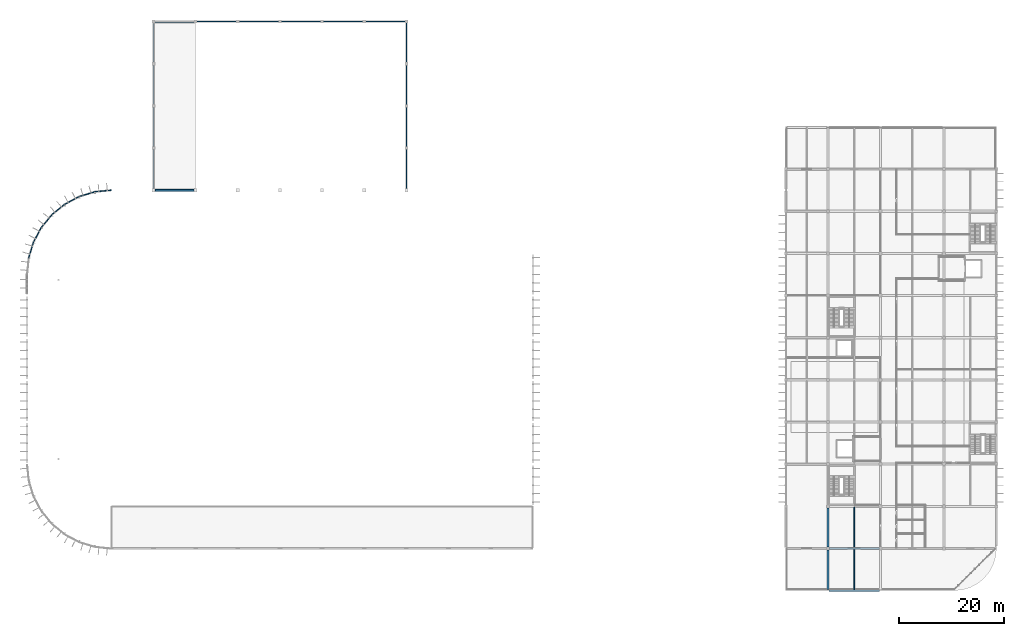
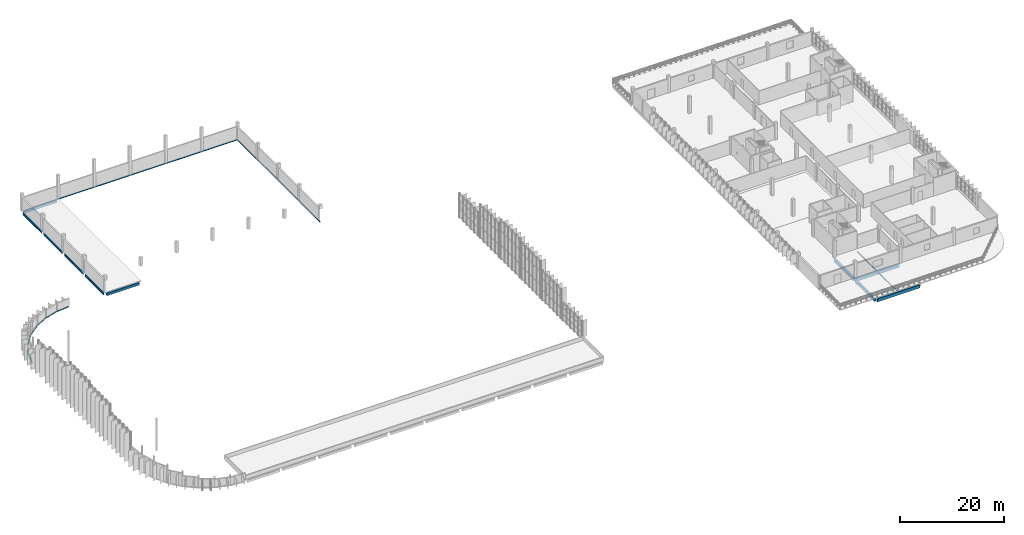
# One storey, part 11 of 38: 28 beams.
"""IFC4 building model written with IfcOpenShell, lengths in metres."""

from ifc_helpers import new_model, si_unit, direction, frame, origin, origin_2d, place, context, subcontext, project, spatial, rectangle, i_section, extrude, material, material_profile, profile_set, type_object, element, save


model = new_model("IFC4")

# Units and contexts
model_context = context("Model", 3, precision=1e-05, world=origin(), true_north=direction((0.0, 1.0)))
body_context = subcontext(model_context, "Body", "Model", "MODEL_VIEW")
ifc_project = project(units=[si_unit("LENGTHUNIT", "METRE"), si_unit("AREAUNIT", "SQUARE_METRE"), si_unit("VOLUMEUNIT", "CUBIC_METRE"), si_unit("PLANEANGLEUNIT", "RADIAN"), si_unit("MASSUNIT", "GRAM", prefix="KILO")], contexts=[model_context])

# Site, building, storey
site_placement = place(None, origin())
site = spatial("IfcSite", under=ifc_project, at=site_placement, CompositionType="ELEMENT")
building_placement = place(site_placement, origin())
building = spatial("IfcBuilding", under=site, at=building_placement, Name="Drelvana Railside Aquatics Centre", CompositionType="ELEMENT")
storey_placement = place(building_placement, frame((0.0, 0.0, 14.39990234375)))
storey = spatial("IfcBuildingStorey", under=building, at=storey_placement, Name="L03", CompositionType="ELEMENT", Elevation=14.39990234375)

# Beams
ifc_material_1 = material(Name="Concrete C40/50", Category="concrete")
ifc_material_profile_1 = material_profile(ifc_material_1, rectangle(XDim=0.35009765625, YDim=0.550048828125, at=origin_2d()), Name="RC 350x550")
ifc_profile_set_1 = profile_set([ifc_material_profile_1], Name="Concrete C40/50")
beam_type_1 = type_object("IfcBeamType", Name="STR-BM-BM-01-RC-350x550", PredefinedType="BEAM", material=ifc_profile_set_1)
beam_1_placement = place(storey_placement, frame((24.35009765625, 84.0, -0.514892578125), z_axis=(1.0, 0.0, 0.0), x_axis=(0.0, 1.0, 0.0)))
element("IfcBeam", 1, at=beam_1_placement, inside=storey, type_object=beam_type_1, Name="Girder BM-01 (L03)", PredefinedType="BEAM", context=body_context, shape_type="SweptSolid", body=[
    extrude(rectangle(XDim=0.35009765625, YDim=0.550048828125, at=origin_2d()), origin(), (0.0, 0.0, 1.0), 7.2998046875),
])
beam_2_placement = place(storey_placement, frame((24.324951171875, 116.0, -0.514892578125), z_axis=(1.0, 0.0, 0.0), x_axis=(0.0, 1.0, 0.0)))
element("IfcBeam", 2, at=beam_2_placement, inside=storey, type_object=beam_type_1, Name="Girder BM-01 (L03)", PredefinedType="BEAM", context=body_context, shape_type="SweptSolid", body=[
    extrude(rectangle(XDim=0.35009765625, YDim=0.550048828125, at=origin_2d()), origin(), (0.0, 0.0, 1.0), 7.35009765625),
])
ifc_material_profile_2 = material_profile(ifc_material_1, rectangle(XDim=0.39990234375, YDim=0.699951171875, at=origin_2d()), Name="RC 400x700")
ifc_profile_set_2 = profile_set([ifc_material_profile_2], Name="Concrete C40/50")
beam_type_2 = type_object("IfcBeamType", Name="STR-BM-BM-03-RC-400x700", PredefinedType="BEAM", material=ifc_profile_set_2)
for number, where, z_axis, x_axis, name in (
    (3, (152.25, 8.0, -0.58984375), (1.0, 0.0, 0.0), (0.0, 1.0, 0.0), "Girder BM-03 (L03)"),
    (4, (152.25, 16.0, -0.58984375), (1.0, 0.0, 0.0), (0.0, 1.0, 0.0), "Girder BM-03 (L03)"),
):
    element("IfcBeam", number, at=place(storey_placement, frame(where, z_axis=z_axis, x_axis=x_axis)), inside=storey, type_object=beam_type_2, Name=name, PredefinedType="BEAM", context=body_context, shape_type="SweptSolid", body=[
        extrude(rectangle(XDim=0.39990234375, YDim=0.699951171875, at=origin_2d()), origin(), (0.0, 0.0, 1.0), 9.5),
    ])
beam_3_placement = place(storey_placement, frame((152.0, 8.25, -0.58984375), z_axis=(0.0, 1.0, 0.0), x_axis=(-1.0, 0.0, 0.0)))
element("IfcBeam", 5, at=beam_3_placement, inside=storey, type_object=beam_type_2, Name="Girder BM-03 (L03)", PredefinedType="BEAM", context=body_context, shape_type="SweptSolid", body=[
    extrude(rectangle(XDim=0.39990234375, YDim=0.699951171875, at=origin_2d()), origin(), (0.0, 0.0, 1.0), 7.5),
])
beam_4_placement = place(storey_placement, frame((152.0, 16.25, -0.58984375), z_axis=(0.0, 1.0, 0.0), x_axis=(-1.0, 0.0, 0.0)))
element("IfcBeam", 6, at=beam_4_placement, inside=storey, type_object=beam_type_2, Name="Girder BM-03 (L03)", PredefinedType="BEAM", context=body_context, shape_type="SweptSolid", body=[
    extrude(rectangle(XDim=0.39990234375, YDim=0.699951171875, at=origin_2d()), origin(), (0.0, 0.0, 1.0), 7.449951171875),
])
ifc_material_2 = material(Name="Structural steel S355", Category="steel")
ifc_material_profile_3 = material_profile(ifc_material_2, i_section(OverallWidth=0.2099609375, OverallDepth=0.550048828125, WebThickness=0.010986328125, FlangeThickness=0.01708984375, at=origin_2d()), Name="IPE 550")
ifc_profile_set_3 = profile_set([ifc_material_profile_3], Name="Structural steel S355")
beam_type_3 = type_object("IfcBeamType", Name="STR-SBM-SB-04-IPE-550", PredefinedType="SPANDREL", material=ifc_profile_set_3)
beam_5_placement = place(storey_placement, frame((24.0, 84.35009765625, -0.514892578125), z_axis=(0.0, 1.0, 0.0), x_axis=(-1.0, 0.0, 0.0)))
element("IfcBeam", 7, at=beam_5_placement, inside=storey, type_object=beam_type_3, Name="Girder SB-04 (L03)", PredefinedType="SPANDREL", context=body_context, shape_type="SweptSolid", body=[
    extrude(i_section(OverallWidth=0.2099609375, OverallDepth=0.550048828125, WebThickness=0.010986328125, FlangeThickness=0.01708984375, at=origin_2d()), origin(), (0.0, 0.0, 1.0), 7.324951171875),
])
for number, where, z_axis, x_axis, name in (
    (8, (24.0, 92.324951171875, -0.514892578125), (0.0, 1.0, 0.0), (-1.0, 0.0, 0.0), "Girder SB-04 (L03)"),
    (9, (24.0, 100.324951171875, -0.514892578125), (0.0, 1.0, 0.0), (-1.0, 0.0, 0.0), "Girder SB-04 (L03)"),
    (10, (24.0, 108.324951171875, -0.514892578125), (0.0, 1.0, 0.0), (-1.0, 0.0, 0.0), "Girder SB-04 (L03)"),
):
    element("IfcBeam", number, at=place(storey_placement, frame(where, z_axis=z_axis, x_axis=x_axis)), inside=storey, type_object=beam_type_3, Name=name, PredefinedType="SPANDREL", context=body_context, shape_type="SweptSolid", body=[
        extrude(i_section(OverallWidth=0.2099609375, OverallDepth=0.550048828125, WebThickness=0.010986328125, FlangeThickness=0.01708984375, at=origin_2d()), origin(), (0.0, 0.0, 1.0), 7.35009765625),
    ])
ifc_material_profile_4 = material_profile(ifc_material_2, i_section(OverallWidth=0.135009765625, OverallDepth=0.27001953125, WebThickness=0.006591796875, FlangeThickness=0.01025390625, at=origin_2d()), Name="IPE 270")
ifc_profile_set_4 = profile_set([ifc_material_profile_4], Name="Structural steel S355")
beam_type_4 = type_object("IfcBeamType", Name="STR-SBM-SJ-02-IPE-270", PredefinedType="JOIST", material=ifc_profile_set_4)
for number, where, z_axis, x_axis, name in (
    (11, (157.0, 8.199951171875, -0.375), (0.0, 1.0, 0.0), (-1.0, 0.0, 0.0), "Secondary floor joist SJ-02 (L03)"),
    (12, (157.0, 16.199951171875, -0.375), (0.0, 1.0, 0.0), (-1.0, 0.0, 0.0), "Secondary floor joist SJ-02 (L03)"),
):
    element("IfcBeam", number, at=place(storey_placement, frame(where, z_axis=z_axis, x_axis=x_axis)), inside=storey, type_object=beam_type_4, Name=name, PredefinedType="JOIST", context=body_context, shape_type="SweptSolid", body=[
        extrude(i_section(OverallWidth=0.135009765625, OverallDepth=0.27001953125, WebThickness=0.006591796875, FlangeThickness=0.01025390625, at=origin_2d()), origin(), (0.0, 0.0, 1.0), 7.60009765625),
    ])
for number, where, z_axis, x_axis, name in (
    (13, (32.0, 116.0, -0.135009765625), (1.0, 0.0, 0.0), (0.0, 1.0, 0.0), "Diving Hall north L03 spandrel girt 6"),
    (14, (40.0, 116.0, -0.135009765625), (1.0, 0.0, 0.0), (0.0, 1.0, 0.0), "Diving Hall north L03 spandrel girt 7"),
    (15, (48.0, 116.0, -0.135009765625), (1.0, 0.0, 0.0), (0.0, 1.0, 0.0), "Diving Hall north L03 spandrel girt 8"),
    (16, (56.0, 116.0, -0.135009765625), (1.0, 0.0, 0.0), (0.0, 1.0, 0.0), "Diving Hall north L03 spandrel girt 9"),
    (17, (64.0, 116.0, -0.135009765625), (1.0, 0.0, 0.0), (0.0, 1.0, 0.0), "Diving Hall north L03 spandrel girt 10"),
):
    element("IfcBeam", number, at=place(storey_placement, frame(where, z_axis=z_axis, x_axis=x_axis)), inside=storey, type_object=beam_type_4, Name=name, PredefinedType="JOIST", context=body_context, shape_type="SweptSolid", body=[
        extrude(i_section(OverallWidth=0.135009765625, OverallDepth=0.27001953125, WebThickness=0.006591796875, FlangeThickness=0.01025390625, at=origin_2d()), origin(), (0.0, 0.0, 1.0), 8.0),
    ])
for number, where, z_axis, x_axis, name in (
    (18, (16.0, 84.0, -0.434814453125), (-0.995186340733, -0.098000751113, 0.0), (0.098000751113, -0.995186340733, 0.0), "V1NW L03 curved spandrel beam 1"),
    (19, (12.878662109375, 83.692626953125, -0.434814453125), (-0.956926153386, -0.290331426072, 0.0), (0.290331426072, -0.956926153386, 0.0), "V1NW L03 curved spandrel beam 2"),
):
    element("IfcBeam", number, at=place(storey_placement, frame(where, z_axis=z_axis, x_axis=x_axis)), inside=storey, type_object=beam_type_4, Name=name, PredefinedType="JOIST", context=body_context, shape_type="SweptSolid", body=[
        extrude(i_section(OverallWidth=0.135009765625, OverallDepth=0.27001953125, WebThickness=0.006591796875, FlangeThickness=0.01025390625, at=origin_2d()), origin(), (0.0, 0.0, 1.0), 3.136474609375),
    ])
beam_6_placement = place(storey_placement, frame((9.877197265625, 82.781982421875, -0.434814453125), z_axis=(-0.881938921093, -0.471363701892, 0.0), x_axis=(0.471363701892, -0.881938921093, 0.0)))
element("IfcBeam", 20, at=beam_6_placement, inside=storey, type_object=beam_type_4, Name="V1NW L03 curved spandrel beam 3", PredefinedType="JOIST", context=body_context, shape_type="SweptSolid", body=[
    extrude(i_section(OverallWidth=0.135009765625, OverallDepth=0.27001953125, WebThickness=0.006591796875, FlangeThickness=0.01025390625, at=origin_2d()), origin(), (0.0, 0.0, 1.0), 3.13671875),
])
for number, where, z_axis, x_axis, name in (
    (21, (7.11083984375, 81.303466796875, -0.434814453125), (-0.773016601683, -0.634385792339, 0.0), (0.634385792339, -0.773016601683, 0.0), "V1NW L03 curved spandrel beam 4"),
    (22, (4.686279296875, 79.313720703125, -0.434814453125), (-0.634385792339, -0.773016601683, 0.0), (0.773016601683, -0.634385792339, 0.0), "V1NW L03 curved spandrel beam 5"),
):
    element("IfcBeam", number, at=place(storey_placement, frame(where, z_axis=z_axis, x_axis=x_axis)), inside=storey, type_object=beam_type_4, Name=name, PredefinedType="JOIST", context=body_context, shape_type="SweptSolid", body=[
        extrude(i_section(OverallWidth=0.135009765625, OverallDepth=0.27001953125, WebThickness=0.006591796875, FlangeThickness=0.01025390625, at=origin_2d()), origin(), (0.0, 0.0, 1.0), 3.136474609375),
    ])
beam_7_placement = place(storey_placement, frame((2.696533203125, 76.88916015625, -0.434814453125), z_axis=(-0.471363701892, -0.881938921093, 0.0), x_axis=(0.881938921093, -0.471363701892, 0.0)))
element("IfcBeam", 23, at=beam_7_placement, inside=storey, type_object=beam_type_4, Name="V1NW L03 curved spandrel beam 6", PredefinedType="JOIST", context=body_context, shape_type="SweptSolid", body=[
    extrude(i_section(OverallWidth=0.135009765625, OverallDepth=0.27001953125, WebThickness=0.006591796875, FlangeThickness=0.01025390625, at=origin_2d()), origin(), (0.0, 0.0, 1.0), 3.13671875),
])
beam_8_placement = place(storey_placement, frame((1.218017578125, 74.122802734375, -0.434814453125), z_axis=(-0.290331426072, -0.956926153386, 0.0), x_axis=(0.956926153386, -0.290331426072, 0.0)))
element("IfcBeam", 24, at=beam_8_placement, inside=storey, type_object=beam_type_4, Name="V1NW L03 curved spandrel beam 7", PredefinedType="JOIST", context=body_context, shape_type="SweptSolid", body=[
    extrude(i_section(OverallWidth=0.135009765625, OverallDepth=0.27001953125, WebThickness=0.006591796875, FlangeThickness=0.01025390625, at=origin_2d()), origin(), (0.0, 0.0, 1.0), 3.136474609375),
])
for number, where, z_axis, x_axis, name in (
    (25, (72.0, 84.0, -0.135009765625), (0.0, 1.0, 0.0), (-1.0, 0.0, 0.0), "Diving Hall East L03 spandrel girt 84"),
    (26, (72.0, 92.0, -0.135009765625), (0.0, 1.0, 0.0), (-1.0, 0.0, 0.0), "Diving Hall East L03 braced girt 92"),
    (27, (72.0, 100.0, -0.135009765625), (0.0, 1.0, 0.0), (-1.0, 0.0, 0.0), "Diving Hall East L03 spandrel girt 100"),
    (28, (72.0, 108.0, -0.135009765625), (0.0, 1.0, 0.0), (-1.0, 0.0, 0.0), "Diving Hall East L03 spandrel girt 108"),
):
    element("IfcBeam", number, at=place(storey_placement, frame(where, z_axis=z_axis, x_axis=x_axis)), inside=storey, type_object=beam_type_4, Name=name, PredefinedType="JOIST", context=body_context, shape_type="SweptSolid", body=[
        extrude(i_section(OverallWidth=0.135009765625, OverallDepth=0.27001953125, WebThickness=0.006591796875, FlangeThickness=0.01025390625, at=origin_2d()), origin(), (0.0, 0.0, 1.0), 8.0),
    ])

save(model, "model.ifc")
